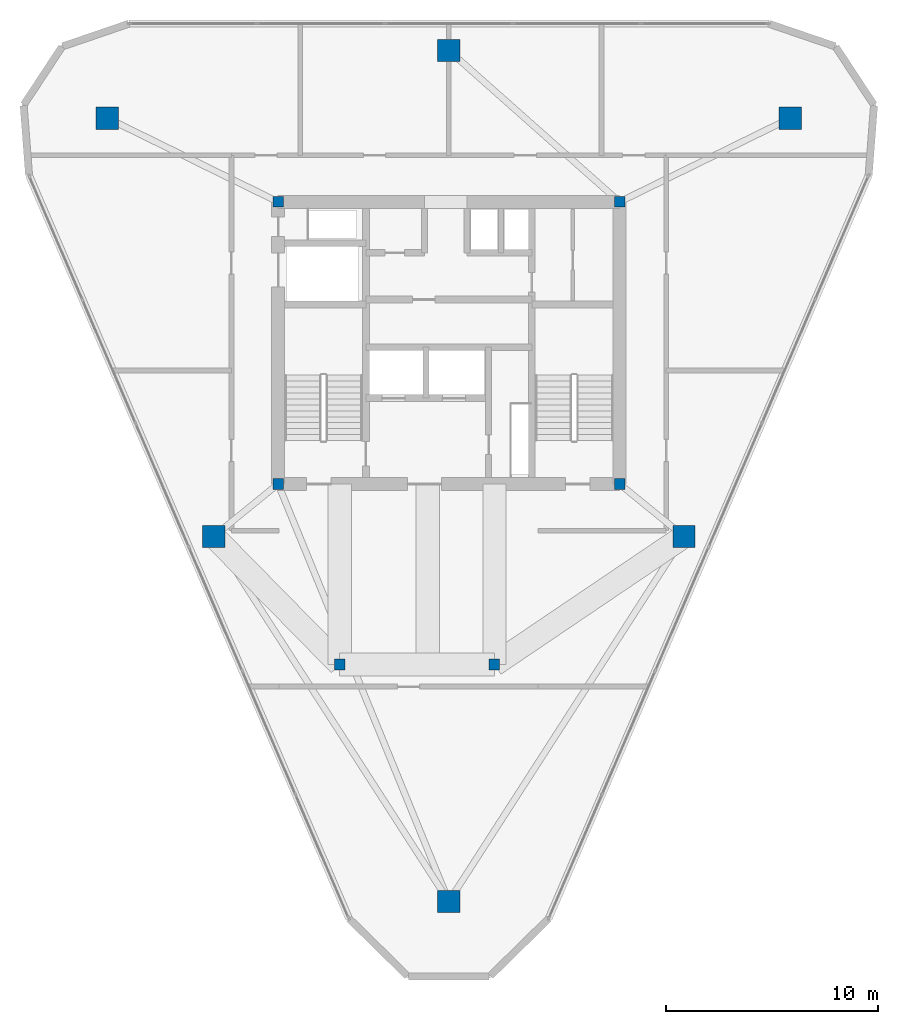
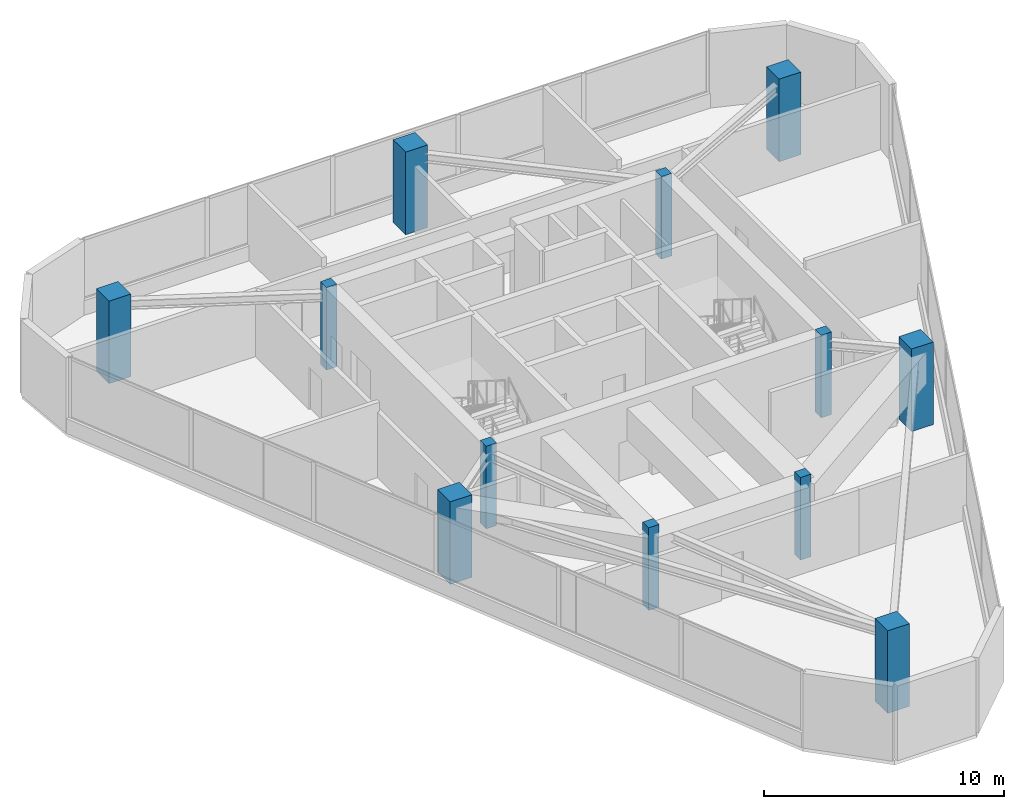
# One storey, part 1 of 7: 12 columns.
"""IFC4 building model written with IfcOpenShell, lengths in metres."""

from ifc_helpers import new_model, si_unit, direction, frame, origin, origin_2d, place, context, subcontext, project, spatial, rectangle, extrude, material, material_profile, profile_set, type_object, element, save


model = new_model("IFC4")

# Units and contexts
model_context = context("Model", 3, precision=1e-05, world=origin(), true_north=direction((0.0, 1.0)))
body_context = subcontext(model_context, "Body", "Model", "MODEL_VIEW")
ifc_project = project(units=[si_unit("LENGTHUNIT", "METRE"), si_unit("AREAUNIT", "SQUARE_METRE"), si_unit("VOLUMEUNIT", "CUBIC_METRE"), si_unit("PLANEANGLEUNIT", "RADIAN"), si_unit("MASSUNIT", "GRAM", prefix="KILO")], contexts=[model_context])

# Site, building, storey
site_placement = place(None, origin())
site = spatial("IfcSite", under=ifc_project, at=site_placement, CompositionType="ELEMENT")
building_placement = place(site_placement, origin())
building = spatial("IfcBuilding", under=site, at=building_placement, Name="Talyreon Biosciences Tower", CompositionType="ELEMENT")
storey_placement = place(building_placement, frame((0.0, 0.0, 313.0)))
storey = spatial("IfcBuildingStorey", under=building, at=storey_placement, Name="L83", CompositionType="ELEMENT", Elevation=313.0)

# Columns
ifc_material = material(Name="Concrete C50/60", Category="concrete")
ifc_material_profile_1 = material_profile(ifc_material, rectangle(XDim=0.5, YDim=0.5, at=origin_2d()), Name="RC 500x500")
ifc_profile_set_1 = profile_set([ifc_material_profile_1], Name="Concrete C50/60")
column_type_1 = type_object("IfcColumnType", Name="CrownColumn_500", PredefinedType="COLUMN", material=ifc_profile_set_1)
for number, where, z_axis, x_axis, name in (
    (1, (57.949951171875, 61.35009765625, 0.0), (0.0, 0.0, 1.0), (1.0, 0.0, 0.0), "L83 Core Column CC1"),
    (2, (74.050048828125, 61.35009765625, 0.0), (0.0, 0.0, 1.0), (1.0, 0.0, 0.0), "L83 Core Column CC2"),
    (3, (74.050048828125, 74.64990234375, 0.0), (0.0, 0.0, 1.0), (1.0, 0.0, 0.0), "L83 Core Column CC3"),
    (4, (57.949951171875, 74.64990234375, 0.0), (0.0, 0.0, 1.0), (1.0, 0.0, 0.0), "L83 Core Column CC4"),
    (5, (60.85009765625, 52.840087890625, 0.0), (0.0, 0.0, 1.0), (1.0, 0.0, 0.0), "L83 Core Column CSW"),
    (6, (68.14990234375, 52.840087890625, 0.0), (0.0, 0.0, 1.0), (1.0, 0.0, 0.0), "L83 Core Column CSE"),
):
    element("IfcColumn", number, at=place(storey_placement, frame(where, z_axis=z_axis, x_axis=x_axis)), inside=storey, type_object=column_type_1, Name=name, PredefinedType="COLUMN", context=body_context, shape_type="SweptSolid", body=[
        extrude(rectangle(XDim=0.5, YDim=0.5, at=origin_2d()), origin(), (0.0, 0.0, 1.0), 4.199951171875),
    ])
ifc_material_profile_2 = material_profile(ifc_material, rectangle(XDim=1.050048828125, YDim=1.050048828125, at=origin_2d()), Name="RC 1050x1050")
ifc_profile_set_2 = profile_set([ifc_material_profile_2], Name="Concrete C50/60")
column_type_2 = type_object("IfcColumnType", Name="MegaColumn_1050", PredefinedType="COLUMN", material=ifc_profile_set_2)
for number, where, z_axis, x_axis, name in (
    (7, (66.0, 41.6669921875, 0.0), (0.0, 0.0, 1.0), (1.0, 0.0, 0.0), "L83 Composite Mega-Column MC1"),
    (8, (82.102294921875, 78.5986328125, 0.0), (0.0, 0.0, 1.0), (1.0, 0.0, 0.0), "L83 Composite Mega-Column MC2"),
    (9, (49.897705078125, 78.5986328125, 0.0), (0.0, 0.0, 1.0), (1.0, 0.0, 0.0), "L83 Composite Mega-Column MC3"),
    (10, (77.086181640625, 58.88037109375, 0.0), (0.0, 0.0, 1.0), (1.0, 0.0, 0.0), "L83 Composite Mega-Column MC4"),
    (11, (66.0, 81.788818359375, 0.0), (0.0, 0.0, 1.0), (1.0, 0.0, 0.0), "L83 Composite Mega-Column MC5"),
    (12, (54.913818359375, 58.88037109375, 0.0), (0.0, 0.0, 1.0), (1.0, 0.0, 0.0), "L83 Composite Mega-Column MC6"),
):
    element("IfcColumn", number, at=place(storey_placement, frame(where, z_axis=z_axis, x_axis=x_axis)), inside=storey, type_object=column_type_2, Name=name, PredefinedType="COLUMN", context=body_context, shape_type="SweptSolid", body=[
        extrude(rectangle(XDim=1.050048828125, YDim=1.050048828125, at=origin_2d()), origin(), (0.0, 0.0, 1.0), 4.199951171875),
    ])

save(model, "model.ifc")
